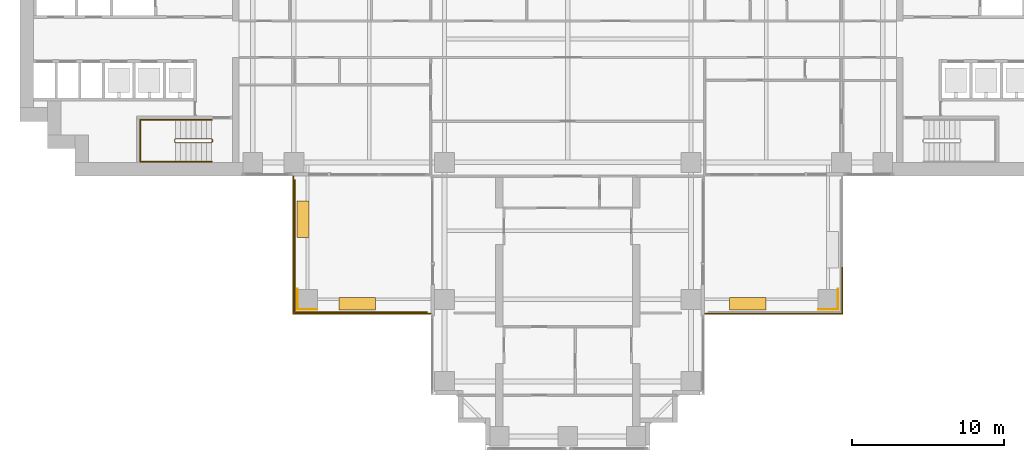
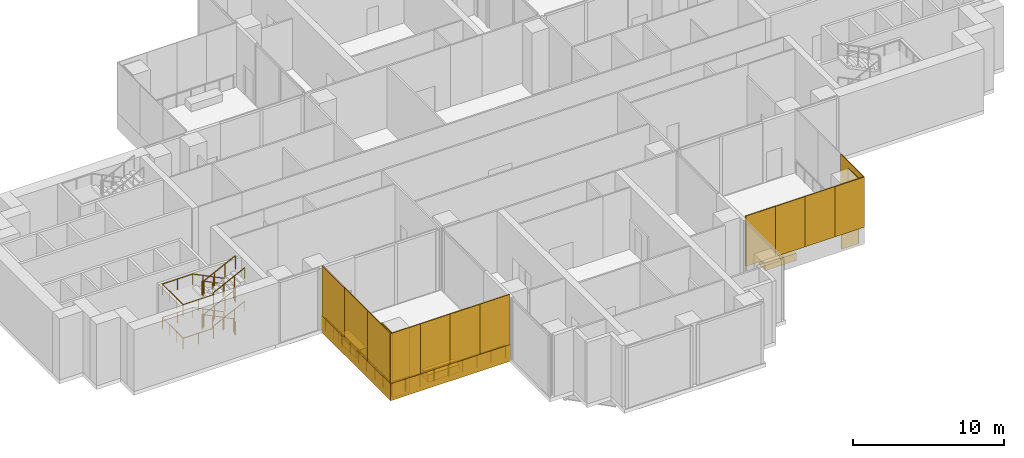
# One storey, part 13 of 17: 20 coverings, 4 railings.
"""IFC4 building model written with IfcOpenShell, lengths in metres."""

from ifc_helpers import new_model, si_unit, direction, frame, origin, origin_2d, place, context, subcontext, project, spatial, polyline, rectangle, outline, extrude, material, layer, layer_set, type_object, element, save


model = new_model("IFC4")

# Units and contexts
model_context = context("Model", 3, precision=1e-05, world=origin(), true_north=direction((0.0, 1.0)))
body_context = subcontext(model_context, "Body", "Model", "MODEL_VIEW")
ifc_project = project(units=[si_unit("LENGTHUNIT", "METRE"), si_unit("AREAUNIT", "SQUARE_METRE"), si_unit("VOLUMEUNIT", "CUBIC_METRE"), si_unit("PLANEANGLEUNIT", "RADIAN"), si_unit("MASSUNIT", "GRAM", prefix="KILO")], contexts=[model_context])

# Site, building, storey
site_placement = place(None, origin())
site = spatial("IfcSite", under=ifc_project, at=site_placement, CompositionType="ELEMENT")
building_placement = place(site_placement, origin())
building = spatial("IfcBuilding", under=site, at=building_placement, Name="Perihelion Cross Residences", CompositionType="ELEMENT")
storey_placement = place(building_placement, frame((0.0, 0.0, 92.5)))
storey = spatial("IfcBuildingStorey", under=building, at=storey_placement, Name="L21", CompositionType="ELEMENT", Elevation=92.5)

# Railing
ifc_material_1 = material(Name="Bronze anodised aluminium", Category="aluminium")
railing_type_1 = type_object("IfcRailingType", Name="Balcony guard 1100", PredefinedType="GUARDRAIL", material=ifc_material_1)
railing_1_placement = place(storey_placement, frame((-9.25, -17.93994140625, 0.0)))
element("IfcRailing", 1, at=railing_1_placement, inside=storey, type_object=railing_type_1, Name="Guard GU1 L21 pocket south-west 1", PredefinedType="GUARDRAIL", context=body_context, shape_type="SweptSolid", body=[
    extrude(rectangle(XDim=0.048095703125, YDim=0.048095703125, at=origin_2d()), frame((0.0, 0.0, 1.076171875), z_axis=(-1.0, 0.0, 0.0), x_axis=(0.0, -1.0, 0.0)), (0.0, 0.0, 1.0), 8.68994140625),
    extrude(rectangle(XDim=0.048095703125, YDim=0.048095703125, at=origin_2d()), frame((-8.68994140625, 0.0, 1.076171875), z_axis=(0.0, 1.0, 0.0), x_axis=(-1.0, 0.0, 0.0)), (0.0, 0.0, 1.0), 8.68994140625),
    extrude(rectangle(XDim=0.0419921875, YDim=0.0419921875, at=origin_2d()), origin(), (0.0, 0.0, 1.0), 1.052001953125),
    extrude(rectangle(XDim=0.0419921875, YDim=0.0419921875, at=origin_2d()), frame((-1.086181640625, 0.0, 0.0)), (0.0, 0.0, 1.0), 1.052001953125),
    extrude(rectangle(XDim=0.0419921875, YDim=0.0419921875, at=origin_2d()), frame((-2.17236328125, 0.0, 0.0)), (0.0, 0.0, 1.0), 1.052001953125),
    extrude(rectangle(XDim=0.0419921875, YDim=0.0419921875, at=origin_2d()), frame((-3.2587890625, 0.0, 0.0)), (0.0, 0.0, 1.0), 1.052001953125),
    extrude(rectangle(XDim=0.0419921875, YDim=0.0419921875, at=origin_2d()), frame((-4.344970703125, 0.0, 0.0)), (0.0, 0.0, 1.0), 1.052001953125),
    extrude(rectangle(XDim=0.0419921875, YDim=0.0419921875, at=origin_2d()), frame((-5.43115234375, 0.0, 0.0)), (0.0, 0.0, 1.0), 1.052001953125),
    extrude(rectangle(XDim=0.0419921875, YDim=0.0419921875, at=origin_2d()), frame((-6.517578125, 0.0, 0.0)), (0.0, 0.0, 1.0), 1.052001953125),
    extrude(rectangle(XDim=0.0419921875, YDim=0.0419921875, at=origin_2d()), frame((-7.603759765625, 0.0, 0.0)), (0.0, 0.0, 1.0), 1.052001953125),
    extrude(rectangle(XDim=0.0419921875, YDim=0.0419921875, at=origin_2d()), frame((-8.68994140625, 0.0, 0.0)), (0.0, 0.0, 1.0), 1.052001953125),
    extrude(rectangle(XDim=0.0419921875, YDim=0.0419921875, at=origin_2d()), frame((-8.68994140625, 1.086181640625, 0.0)), (0.0, 0.0, 1.0), 1.052001953125),
    extrude(rectangle(XDim=0.0419921875, YDim=0.0419921875, at=origin_2d()), frame((-8.68994140625, 2.17236328125, 0.0)), (0.0, 0.0, 1.0), 1.052001953125),
    extrude(rectangle(XDim=0.0419921875, YDim=0.0419921875, at=origin_2d()), frame((-8.68994140625, 3.2587890625, 0.0)), (0.0, 0.0, 1.0), 1.052001953125),
    extrude(rectangle(XDim=0.0419921875, YDim=0.0419921875, at=origin_2d()), frame((-8.68994140625, 4.344970703125, 0.0)), (0.0, 0.0, 1.0), 1.052001953125),
    extrude(rectangle(XDim=0.0419921875, YDim=0.0419921875, at=origin_2d()), frame((-8.68994140625, 5.43115234375, 0.0)), (0.0, 0.0, 1.0), 1.052001953125),
    extrude(rectangle(XDim=0.0419921875, YDim=0.0419921875, at=origin_2d()), frame((-8.68994140625, 6.517578125, 0.0)), (0.0, 0.0, 1.0), 1.052001953125),
    extrude(rectangle(XDim=0.0419921875, YDim=0.0419921875, at=origin_2d()), frame((-8.68994140625, 7.603759765625, 0.0)), (0.0, 0.0, 1.0), 1.052001953125),
    extrude(rectangle(XDim=0.0419921875, YDim=0.0419921875, at=origin_2d()), frame((-8.68994140625, 8.68994140625, 0.0)), (0.0, 0.0, 1.0), 1.052001953125),
])

# Coverings
ifc_material_2 = material(Name="Bronze anodised aluminium", Category="aluminium")
ifc_layer_1 = layer(ifc_material_2, 0.0400390625)
ifc_layer_set_1 = layer_set([ifc_layer_1], Name="Bronze column casing 40")
covering_type_1 = type_object("IfcCoveringType", Name="Bronze column casing 40", PredefinedType="CLADDING", material=ifc_layer_set_1)
covering_1_placement = place(storey_placement, frame((-17.77001953125, -17.10009765625, -0.300048828125), z_axis=(0.0, 0.0, 1.0), x_axis=(1.0, 0.0, 0.0)))
element("IfcCovering", 2, at=covering_1_placement, inside=storey, type_object=covering_type_1, Name="Cladding CC1 L21 casing east-west no. 1", PredefinedType="CLADDING", context=body_context, shape_type="SweptSolid", body=[
    extrude(rectangle(XDim=0.0400390625, YDim=1.3798828125, at=origin_2d()), origin(), (0.0, 0.0, 1.0), 5.25),
])
covering_2_placement = place(storey_placement, frame((-17.10009765625, -17.77001953125, -0.300048828125), z_axis=(0.0, 0.0, 1.0), x_axis=(1.0, 0.0, 0.0)))
element("IfcCovering", 3, at=covering_2_placement, inside=storey, type_object=covering_type_1, Name="Cladding CC1 L21 casing north-south no. 1", PredefinedType="CLADDING", context=body_context, shape_type="SweptSolid", body=[
    extrude(rectangle(XDim=1.300048828125, YDim=0.0400390625, at=origin_2d()), origin(), (0.0, 0.0, 1.0), 5.25),
])
covering_3_placement = place(storey_placement, frame((17.77001953125, -17.10009765625, -0.300048828125), z_axis=(0.0, 0.0, 1.0), x_axis=(1.0, 0.0, 0.0)))
element("IfcCovering", 4, at=covering_3_placement, inside=storey, type_object=covering_type_1, Name="Cladding CC1 L21 casing east-west no. 3", PredefinedType="CLADDING", context=body_context, shape_type="SweptSolid", body=[
    extrude(rectangle(XDim=0.0400390625, YDim=1.3798828125, at=origin_2d()), origin(), (0.0, 0.0, 1.0), 5.25),
])
covering_4_placement = place(storey_placement, frame((17.10009765625, -17.77001953125, -0.300048828125), z_axis=(0.0, 0.0, 1.0), x_axis=(1.0, 0.0, 0.0)))
element("IfcCovering", 5, at=covering_4_placement, inside=storey, type_object=covering_type_1, Name="Cladding CC1 L21 casing north-south no. 3", PredefinedType="CLADDING", context=body_context, shape_type="SweptSolid", body=[
    extrude(rectangle(XDim=1.300048828125, YDim=0.0400390625, at=origin_2d()), origin(), (0.0, 0.0, 1.0), 5.25),
])
ifc_material_3 = material(Name="Precast concrete C40/50", Category="concrete")
covering_type_2 = type_object("IfcCoveringType", Name="Planter box 2400", PredefinedType="USERDEFINED", material=ifc_material_3)
for number, where, z_axis, x_axis, name in (
    (6, (11.830078125, -17.389892578125, 0.0), (0.0, 0.0, 1.0), (-1.0, 0.0, 0.0), "Planter PT1 L21 pocket south-east 2"),
    (7, (-13.85009765625, -17.389892578125, 0.0), (0.0, 0.0, 1.0), (-1.0, 0.0, 0.0), "Planter PT1 L21 pocket south-west 1"),
    (8, (-17.389892578125, -11.830078125, 0.0), (0.0, 0.0, 1.0), (0.0, 1.0, 0.0), "Planter PT1 L21 pocket south-west 2"),
):
    element("IfcCovering", number, at=place(storey_placement, frame(where, z_axis=z_axis, x_axis=x_axis)), inside=storey, type_object=covering_type_2, Name=name, ObjectType="PLANTER", PredefinedType="USERDEFINED", context=body_context, shape_type="SweptSolid", body=[
        extrude(rectangle(XDim=2.39990234375, YDim=0.800048828125, at=origin_2d()), origin(), (0.0, 0.0, 1.0), 0.60009765625),
    ])
ifc_material_4 = material(Name="Bronze anodised aluminium", Category="aluminium")
ifc_layer_2 = layer(ifc_material_4, 0.070068359375)
ifc_layer_set_2 = layer_set([ifc_layer_2], Name="Pocket fascia 1350")
covering_type_3 = type_object("IfcCoveringType", Name="Pocket fascia 1350", PredefinedType="CLADDING", material=ifc_layer_set_2)
covering_5_placement = place(storey_placement, frame((0.0, 0.0, -0.25)))
element("IfcCovering", 9, at=covering_5_placement, inside=storey, type_object=covering_type_3, Name="Fascia BF2 L21 pocket south-west 1", PredefinedType="CLADDING", context=body_context, shape_type="SweptSolid", body=[
    extrude(outline(polyline([(-18.070068359375, -18.070068359375), (-8.929931640625, -18.070068359375), (-8.929931640625, -18.0), (-9.0, -18.0), (-9.0, -18.0), (-18.0, -18.0), (-18.0, -9.0), (-18.0, -9.0), (-18.0, -8.929931640625), (-18.070068359375, -8.929931640625), (-18.070068359375, -18.070068359375)])), origin(), (0.0, 0.0, 1.0), 1.35009765625),
])
ifc_material_5 = material(Name="Bronze perforated aluminium", Category="aluminium")
ifc_layer_3 = layer(ifc_material_5, 0.070068359375)
ifc_layer_set_3 = layer_set([ifc_layer_3], Name="Pocket solar screen, bronze perforated")
covering_type_4 = type_object("IfcCoveringType", Name="Pocket solar screen, bronze perforated", PredefinedType="CLADDING", material=ifc_layer_set_3)
covering_6_placement = place(storey_placement, frame((0.0, 0.0, 1.10009765625)))
element("IfcCovering", 10, at=covering_6_placement, inside=storey, type_object=covering_type_4, Name="Solar screen PS1 L21 pocket south-east no. 1", PredefinedType="CLADDING", context=body_context, shape_type="SweptSolid", body=[
    extrude(outline(polyline([(18.070068359375, -18.0), (18.070068359375, -15.0), (18.0, -15.0), (18.0, -18.0), (18.070068359375, -18.0)])), origin(), (0.0, 0.0, 1.0), 4.0498046875),
])
covering_7_placement = place(storey_placement, frame((0.0, 0.0, 1.10009765625)))
element("IfcCovering", 11, at=covering_7_placement, inside=storey, type_object=covering_type_4, Name="Solar screen PS1 L21 pocket south-east no. 4", PredefinedType="CLADDING", context=body_context, shape_type="SweptSolid", body=[
    extrude(outline(polyline([(11.267578125, -18.070068359375), (11.267578125, -18.0), (9.0, -18.0), (9.0, -18.070068359375), (11.267578125, -18.070068359375)])), origin(), (0.0, 0.0, 1.0), 4.0498046875),
])
covering_8_placement = place(storey_placement, frame((0.0, 0.0, 1.10009765625)))
element("IfcCovering", 12, at=covering_8_placement, inside=storey, type_object=covering_type_4, Name="Solar screen PS1 L21 pocket south-east no. 5", PredefinedType="CLADDING", context=body_context, shape_type="SweptSolid", body=[
    extrude(outline(polyline([(13.534912109375, -18.070068359375), (13.534912109375, -18.0), (11.267578125, -18.0), (11.267578125, -18.070068359375), (13.534912109375, -18.070068359375)])), origin(), (0.0, 0.0, 1.0), 4.0498046875),
])
covering_9_placement = place(storey_placement, frame((0.0, 0.0, 1.10009765625)))
element("IfcCovering", 13, at=covering_9_placement, inside=storey, type_object=covering_type_4, Name="Solar screen PS1 L21 pocket south-east no. 6", PredefinedType="CLADDING", context=body_context, shape_type="SweptSolid", body=[
    extrude(outline(polyline([(15.802490234375, -18.070068359375), (15.802490234375, -18.0), (13.534912109375, -18.0), (13.534912109375, -18.070068359375), (15.802490234375, -18.070068359375)])), origin(), (0.0, 0.0, 1.0), 4.0498046875),
])
covering_10_placement = place(storey_placement, frame((0.0, 0.0, 1.10009765625)))
element("IfcCovering", 14, at=covering_10_placement, inside=storey, type_object=covering_type_4, Name="Solar screen PS1 L21 pocket south-east no. 7", PredefinedType="CLADDING", context=body_context, shape_type="SweptSolid", body=[
    extrude(outline(polyline([(18.070068359375, -18.070068359375), (18.070068359375, -18.0), (15.802490234375, -18.0), (15.802490234375, -18.070068359375), (18.070068359375, -18.070068359375)])), origin(), (0.0, 0.0, 1.0), 4.0498046875),
])
covering_11_placement = place(storey_placement, frame((0.0, 0.0, 1.10009765625)))
element("IfcCovering", 15, at=covering_11_placement, inside=storey, type_object=covering_type_4, Name="Solar screen PS1 L21 pocket south-west no. 1", PredefinedType="CLADDING", context=body_context, shape_type="SweptSolid", body=[
    extrude(outline(polyline([(-18.0, -18.0), (-18.0, -15.0), (-18.070068359375, -15.0), (-18.070068359375, -18.0), (-18.0, -18.0)])), origin(), (0.0, 0.0, 1.0), 4.0498046875),
])
covering_12_placement = place(storey_placement, frame((0.0, 0.0, 1.10009765625)))
element("IfcCovering", 16, at=covering_12_placement, inside=storey, type_object=covering_type_4, Name="Solar screen PS1 L21 pocket south-west no. 2", PredefinedType="CLADDING", context=body_context, shape_type="SweptSolid", body=[
    extrude(outline(polyline([(-18.0, -15.0), (-18.0, -12.0), (-18.070068359375, -12.0), (-18.070068359375, -15.0), (-18.0, -15.0)])), origin(), (0.0, 0.0, 1.0), 4.0498046875),
])
covering_13_placement = place(storey_placement, frame((0.0, 0.0, 1.10009765625)))
element("IfcCovering", 17, at=covering_13_placement, inside=storey, type_object=covering_type_4, Name="Solar screen PS1 L21 pocket south-west no. 3", PredefinedType="CLADDING", context=body_context, shape_type="SweptSolid", body=[
    extrude(outline(polyline([(-18.0, -12.0), (-18.0, -9.0), (-18.070068359375, -9.0), (-18.070068359375, -12.0), (-18.0, -12.0)])), origin(), (0.0, 0.0, 1.0), 4.0498046875),
])
covering_14_placement = place(storey_placement, frame((0.0, 0.0, 1.10009765625)))
element("IfcCovering", 18, at=covering_14_placement, inside=storey, type_object=covering_type_4, Name="Solar screen PS1 L21 pocket south-west no. 4", PredefinedType="CLADDING", context=body_context, shape_type="SweptSolid", body=[
    extrude(outline(polyline([(-15.802490234375, -18.070068359375), (-15.802490234375, -18.0), (-18.070068359375, -18.0), (-18.070068359375, -18.070068359375), (-15.802490234375, -18.070068359375)])), origin(), (0.0, 0.0, 1.0), 4.0498046875),
])
covering_15_placement = place(storey_placement, frame((0.0, 0.0, 1.10009765625)))
element("IfcCovering", 19, at=covering_15_placement, inside=storey, type_object=covering_type_4, Name="Solar screen PS1 L21 pocket south-west no. 5", PredefinedType="CLADDING", context=body_context, shape_type="SweptSolid", body=[
    extrude(outline(polyline([(-13.534912109375, -18.070068359375), (-13.534912109375, -18.0), (-15.802490234375, -18.0), (-15.802490234375, -18.070068359375), (-13.534912109375, -18.070068359375)])), origin(), (0.0, 0.0, 1.0), 4.0498046875),
])
covering_16_placement = place(storey_placement, frame((0.0, 0.0, 1.10009765625)))
element("IfcCovering", 20, at=covering_16_placement, inside=storey, type_object=covering_type_4, Name="Solar screen PS1 L21 pocket south-west no. 6", PredefinedType="CLADDING", context=body_context, shape_type="SweptSolid", body=[
    extrude(outline(polyline([(-11.267578125, -18.070068359375), (-11.267578125, -18.0), (-13.534912109375, -18.0), (-13.534912109375, -18.070068359375), (-11.267578125, -18.070068359375)])), origin(), (0.0, 0.0, 1.0), 4.0498046875),
])
covering_17_placement = place(storey_placement, frame((0.0, 0.0, 1.10009765625)))
element("IfcCovering", 21, at=covering_17_placement, inside=storey, type_object=covering_type_4, Name="Solar screen PS1 L21 pocket south-west no. 7", PredefinedType="CLADDING", context=body_context, shape_type="SweptSolid", body=[
    extrude(outline(polyline([(-9.0, -18.070068359375), (-9.0, -18.0), (-11.267578125, -18.0), (-11.267578125, -18.070068359375), (-9.0, -18.070068359375)])), origin(), (0.0, 0.0, 1.0), 4.0498046875),
])

# Railings
ifc_material_6 = material(Name="Stainless steel", Category="steel")
railing_type_2 = type_object("IfcRailingType", Name="Stair guard 1100", PredefinedType="GUARDRAIL", material=ifc_material_6)
railing_2_placement = place(storey_placement, frame((-23.35009765625, -6.75, 0.0)))
element("IfcRailing", 22, at=railing_2_placement, inside=storey, type_object=railing_type_2, Name="L21 ST-W2 stair guard 1", PredefinedType="GUARDRAIL", context=body_context, shape_type="SweptSolid", body=[
    extrude(rectangle(XDim=0.048095703125, YDim=0.048095703125, at=origin_2d()), frame((0.0, 0.0, 1.076171875), z_axis=(0.0, 1.0, 0.0), x_axis=(-1.0, 0.0, 0.0)), (0.0, 0.0, 1.0), 0.14990234375),
    extrude(rectangle(XDim=0.048095703125, YDim=0.048095703125, at=origin_2d()), frame((0.0, 0.14990234375, 1.076171875), z_axis=(-0.272333783174, 0.273668752699, 0.922463942026), x_axis=(-0.708833529934, -0.705375805398, 0.0)), (0.0, 0.0, 1.0), 0.182861328125),
    extrude(rectangle(XDim=0.048095703125, YDim=0.048095703125, at=origin_2d()), frame((-0.0498046875, 0.199951171875, 1.24462890625), z_axis=(-0.895728066128, 0.0, 0.444602329674), x_axis=(0.0, -1.0, 0.0)), (0.0, 0.0, 1.0), 2.6572265625),
    extrude(rectangle(XDim=0.048095703125, YDim=0.048095703125, at=origin_2d()), frame((-2.429931640625, 0.199951171875, 2.42626953125), z_axis=(-0.707106781187, -0.707106781187, 0.0), x_axis=(0.707106781187, -0.707106781187, 0.0)), (0.0, 0.0, 1.0), 0.07080078125),
    extrude(rectangle(XDim=0.048095703125, YDim=0.048095703125, at=origin_2d()), frame((-2.47998046875, 0.14990234375, 2.42626953125), z_axis=(0.0, -1.0, 0.0), x_axis=(1.0, 0.0, 0.0)), (0.0, 0.0, 1.0), 0.14990234375),
    extrude(rectangle(XDim=0.048095703125, YDim=0.048095703125, at=origin_2d()), frame((-2.47998046875, 0.0, 2.42626953125), z_axis=(0.273569069059, -0.273569069059, 0.922127935218), x_axis=(0.707106781187, 0.707106781187, 0.0)), (0.0, 0.0, 1.0), 0.182861328125),
    extrude(rectangle(XDim=0.048095703125, YDim=0.048095703125, at=origin_2d()), frame((-2.429931640625, -0.050048828125, 2.5947265625), z_axis=(0.895764654725, 0.0, 0.444528608017), x_axis=(0.0, 1.0, 0.0)), (0.0, 0.0, 1.0), 2.656982421875),
    extrude(rectangle(XDim=0.048095703125, YDim=0.048095703125, at=origin_2d()), frame((-0.0498046875, -0.050048828125, 3.77587890625), z_axis=(0.241699205484, 0.970351222016, 0.0), x_axis=(-0.970351222016, 0.241699205484, 0.0)), (0.0, 0.0, 1.0), 0.2060546875),
    extrude(rectangle(XDim=0.048095703125, YDim=0.048095703125, at=origin_2d()), frame((0.0, 0.14990234375, 3.77587890625), z_axis=(0.0, -1.0, 0.0), x_axis=(1.0, 0.0, 0.0)), (0.0, 0.0, 1.0), 0.14990234375),
    extrude(rectangle(XDim=0.048095703125, YDim=0.048095703125, at=origin_2d()), frame((0.0, 0.0, 3.77587890625), z_axis=(-0.187017651923, 0.750820867278, 0.633476458228), x_axis=(-0.970351222016, -0.241699205484, 0.0)), (0.0, 0.0, 1.0), 0.266357421875),
    extrude(rectangle(XDim=0.048095703125, YDim=0.048095703125, at=origin_2d()), frame((-0.0498046875, 0.199951171875, 3.94482421875), z_axis=(-0.895728066128, 0.0, 0.444602329674), x_axis=(0.0, -1.0, 0.0)), (0.0, 0.0, 1.0), 2.6572265625),
    extrude(rectangle(XDim=0.048095703125, YDim=0.048095703125, at=origin_2d()), frame((-2.429931640625, 0.199951171875, 5.1259765625), z_axis=(-0.707106781187, -0.707106781187, 0.0), x_axis=(0.707106781187, -0.707106781187, 0.0)), (0.0, 0.0, 1.0), 0.07080078125),
    extrude(rectangle(XDim=0.048095703125, YDim=0.048095703125, at=origin_2d()), frame((-2.47998046875, 0.14990234375, 5.1259765625), z_axis=(0.0, -1.0, 0.0), x_axis=(1.0, 0.0, 0.0)), (0.0, 0.0, 1.0), 0.14990234375),
    extrude(rectangle(XDim=0.048095703125, YDim=0.048095703125, at=origin_2d()), frame((-2.47998046875, 0.0, 5.1259765625), z_axis=(0.273569069059, -0.273569069059, 0.922127935218), x_axis=(0.707106781187, 0.707106781187, 0.0)), (0.0, 0.0, 1.0), 0.182861328125),
    extrude(rectangle(XDim=0.048095703125, YDim=0.048095703125, at=origin_2d()), frame((-2.429931640625, -0.050048828125, 5.294921875), z_axis=(0.895764654725, 0.0, 0.444528608017), x_axis=(0.0, 1.0, 0.0)), (0.0, 0.0, 1.0), 2.656982421875),
    extrude(rectangle(XDim=0.0419921875, YDim=0.0419921875, at=origin_2d()), origin(), (0.0, 0.0, 1.0), 1.052001953125),
    extrude(rectangle(XDim=0.0419921875, YDim=0.0419921875, at=origin_2d()), frame((0.0, 0.14990234375, 0.0)), (0.0, 0.0, 1.0), 1.052001953125),
    extrude(rectangle(XDim=0.0419921875, YDim=0.0419921875, at=origin_2d()), frame((-0.0498046875, 0.199951171875, 0.168701171875)), (0.0, 0.0, 1.0), 1.052001953125),
    extrude(rectangle(XDim=0.0419921875, YDim=0.0419921875, at=origin_2d()), frame((-0.84326171875, 0.199951171875, 0.5625)), (0.0, 0.0, 1.0), 1.052001953125),
    extrude(rectangle(XDim=0.0419921875, YDim=0.0419921875, at=origin_2d()), frame((-1.636474609375, 0.199951171875, 0.956298828125)), (0.0, 0.0, 1.0), 1.052001953125),
    extrude(rectangle(XDim=0.0419921875, YDim=0.0419921875, at=origin_2d()), frame((-2.429931640625, 0.199951171875, 1.35009765625)), (0.0, 0.0, 1.0), 1.052001953125),
    extrude(rectangle(XDim=0.0419921875, YDim=0.0419921875, at=origin_2d()), frame((-2.47998046875, 0.14990234375, 1.35009765625)), (0.0, 0.0, 1.0), 1.052001953125),
    extrude(rectangle(XDim=0.0419921875, YDim=0.0419921875, at=origin_2d()), frame((-2.47998046875, 0.0, 1.35009765625)), (0.0, 0.0, 1.0), 1.052001953125),
    extrude(rectangle(XDim=0.0419921875, YDim=0.0419921875, at=origin_2d()), frame((-2.429931640625, -0.050048828125, 1.518798828125)), (0.0, 0.0, 1.0), 1.052001953125),
    extrude(rectangle(XDim=0.0419921875, YDim=0.0419921875, at=origin_2d()), frame((-1.636474609375, -0.050048828125, 1.91259765625)), (0.0, 0.0, 1.0), 1.052001953125),
    extrude(rectangle(XDim=0.0419921875, YDim=0.0419921875, at=origin_2d()), frame((-0.84326171875, -0.050048828125, 2.30615234375)), (0.0, 0.0, 1.0), 1.052001953125),
    extrude(rectangle(XDim=0.0419921875, YDim=0.0419921875, at=origin_2d()), frame((-0.0498046875, -0.050048828125, 2.699951171875)), (0.0, 0.0, 1.0), 1.052001953125),
    extrude(rectangle(XDim=0.0419921875, YDim=0.0419921875, at=origin_2d()), frame((0.0, 0.14990234375, 2.699951171875)), (0.0, 0.0, 1.0), 1.052001953125),
    extrude(rectangle(XDim=0.0419921875, YDim=0.0419921875, at=origin_2d()), frame((0.0, 0.0, 2.699951171875)), (0.0, 0.0, 1.0), 1.052001953125),
    extrude(rectangle(XDim=0.0419921875, YDim=0.0419921875, at=origin_2d()), frame((-0.0498046875, 0.199951171875, 2.86865234375)), (0.0, 0.0, 1.0), 1.052001953125),
    extrude(rectangle(XDim=0.0419921875, YDim=0.0419921875, at=origin_2d()), frame((-0.84326171875, 0.199951171875, 3.262451171875)), (0.0, 0.0, 1.0), 1.052001953125),
    extrude(rectangle(XDim=0.0419921875, YDim=0.0419921875, at=origin_2d()), frame((-1.636474609375, 0.199951171875, 3.65625)), (0.0, 0.0, 1.0), 1.052001953125),
    extrude(rectangle(XDim=0.0419921875, YDim=0.0419921875, at=origin_2d()), frame((-2.429931640625, 0.199951171875, 4.050048828125)), (0.0, 0.0, 1.0), 1.052001953125),
    extrude(rectangle(XDim=0.0419921875, YDim=0.0419921875, at=origin_2d()), frame((-2.47998046875, 0.14990234375, 4.050048828125)), (0.0, 0.0, 1.0), 1.052001953125),
    extrude(rectangle(XDim=0.0419921875, YDim=0.0419921875, at=origin_2d()), frame((-2.47998046875, 0.0, 4.050048828125)), (0.0, 0.0, 1.0), 1.052001953125),
    extrude(rectangle(XDim=0.0419921875, YDim=0.0419921875, at=origin_2d()), frame((-2.429931640625, -0.050048828125, 4.21875)), (0.0, 0.0, 1.0), 1.052001953125),
    extrude(rectangle(XDim=0.0419921875, YDim=0.0419921875, at=origin_2d()), frame((-1.636474609375, -0.050048828125, 4.612548828125)), (0.0, 0.0, 1.0), 1.052001953125),
    extrude(rectangle(XDim=0.0419921875, YDim=0.0419921875, at=origin_2d()), frame((-0.84326171875, -0.050048828125, 5.006103515625)), (0.0, 0.0, 1.0), 1.052001953125),
    extrude(rectangle(XDim=0.0419921875, YDim=0.0419921875, at=origin_2d()), frame((-0.0498046875, -0.050048828125, 5.39990234375)), (0.0, 0.0, 1.0), 1.052001953125),
])
ifc_material_7 = material(Name="Stainless steel", Category="steel")
railing_type_3 = type_object("IfcRailingType", Name="Stair handrail 900", PredefinedType="HANDRAIL", material=ifc_material_7)
railing_3_placement = place(storey_placement, frame((-23.39990234375, -5.300048828125, 0.168701171875)))
element("IfcRailing", 23, at=railing_3_placement, inside=storey, type_object=railing_type_3, Name="L21 ST-W2 stair handrail 1", PredefinedType="HANDRAIL", context=body_context, shape_type="SweptSolid", body=[
    extrude(rectangle(XDim=0.048095703125, YDim=0.048095703125, at=origin_2d()), frame((0.0, 0.0, 0.8759765625), z_axis=(-0.895728066128, 0.0, 0.444602329674), x_axis=(0.0, -1.0, 0.0)), (0.0, 0.0, 1.0), 2.6572265625),
    extrude(rectangle(XDim=0.048095703125, YDim=0.048095703125, at=origin_2d()), frame((-2.380126953125, 0.0, 2.05712890625), z_axis=(-1.0, 0.0, 0.0), x_axis=(0.0, -1.0, 0.0)), (0.0, 0.0, 1.0), 2.320068359375),
    extrude(rectangle(XDim=0.048095703125, YDim=0.048095703125, at=origin_2d()), frame((-4.7001953125, 0.0, 2.05712890625), z_axis=(0.0, -1.0, 0.0), x_axis=(1.0, 0.0, 0.0)), (0.0, 0.0, 1.0), 2.75),
    extrude(rectangle(XDim=0.048095703125, YDim=0.048095703125, at=origin_2d()), frame((-4.7001953125, -2.75, 2.05712890625), z_axis=(1.0, 0.0, 0.0), x_axis=(0.0, 1.0, 0.0)), (0.0, 0.0, 1.0), 2.320068359375),
    extrude(rectangle(XDim=0.048095703125, YDim=0.048095703125, at=origin_2d()), frame((-2.380126953125, -2.75, 2.05712890625), z_axis=(0.0, 0.0, 1.0), x_axis=(1.0, 0.0, 0.0)), (0.0, 0.0, 1.0), 0.168701171875),
    extrude(rectangle(XDim=0.048095703125, YDim=0.048095703125, at=origin_2d()), frame((-2.380126953125, -2.75, 2.22607421875), z_axis=(0.895764654725, 0.0, 0.444528608017), x_axis=(0.0, 1.0, 0.0)), (0.0, 0.0, 1.0), 2.656982421875),
    extrude(rectangle(XDim=0.0419921875, YDim=0.0419921875, at=origin_2d()), origin(), (0.0, 0.0, 1.0), 0.851806640625),
    extrude(rectangle(XDim=0.0419921875, YDim=0.0419921875, at=origin_2d()), frame((-0.79345703125, 0.0, 0.393798828125)), (0.0, 0.0, 1.0), 0.851806640625),
    extrude(rectangle(XDim=0.0419921875, YDim=0.0419921875, at=origin_2d()), frame((-1.586669921875, 0.0, 0.78759765625)), (0.0, 0.0, 1.0), 0.851806640625),
    extrude(rectangle(XDim=0.0419921875, YDim=0.0419921875, at=origin_2d()), frame((-2.380126953125, 0.0, 1.181396484375)), (0.0, 0.0, 1.0), 0.851806640625),
    extrude(rectangle(XDim=0.0419921875, YDim=0.0419921875, at=origin_2d()), frame((-3.5400390625, 0.0, 1.181396484375)), (0.0, 0.0, 1.0), 0.851806640625),
    extrude(rectangle(XDim=0.0419921875, YDim=0.0419921875, at=origin_2d()), frame((-4.7001953125, 0.0, 1.181396484375)), (0.0, 0.0, 1.0), 0.851806640625),
    extrude(rectangle(XDim=0.0419921875, YDim=0.0419921875, at=origin_2d()), frame((-4.7001953125, -0.916748046875, 1.181396484375)), (0.0, 0.0, 1.0), 0.851806640625),
    extrude(rectangle(XDim=0.0419921875, YDim=0.0419921875, at=origin_2d()), frame((-4.7001953125, -1.833251953125, 1.181396484375)), (0.0, 0.0, 1.0), 0.851806640625),
    extrude(rectangle(XDim=0.0419921875, YDim=0.0419921875, at=origin_2d()), frame((-4.7001953125, -2.75, 1.181396484375)), (0.0, 0.0, 1.0), 0.851806640625),
    extrude(rectangle(XDim=0.0419921875, YDim=0.0419921875, at=origin_2d()), frame((-3.5400390625, -2.75, 1.181396484375)), (0.0, 0.0, 1.0), 0.851806640625),
    extrude(rectangle(XDim=0.0419921875, YDim=0.0419921875, at=origin_2d()), frame((-2.380126953125, -2.75, 1.181396484375)), (0.0, 0.0, 1.0), 0.851806640625),
    extrude(rectangle(XDim=0.0419921875, YDim=0.0419921875, at=origin_2d()), frame((-2.380126953125, -2.75, 1.35009765625)), (0.0, 0.0, 1.0), 0.851806640625),
    extrude(rectangle(XDim=0.0419921875, YDim=0.0419921875, at=origin_2d()), frame((-1.586669921875, -2.75, 1.743896484375)), (0.0, 0.0, 1.0), 0.851806640625),
    extrude(rectangle(XDim=0.0419921875, YDim=0.0419921875, at=origin_2d()), frame((-0.79345703125, -2.75, 2.137451171875)), (0.0, 0.0, 1.0), 0.851806640625),
    extrude(rectangle(XDim=0.0419921875, YDim=0.0419921875, at=origin_2d()), frame((0.0, -2.75, 2.53125)), (0.0, 0.0, 1.0), 0.851806640625),
])
railing_4_placement = place(storey_placement, frame((-23.39990234375, -5.300048828125, 2.86865234375)))
element("IfcRailing", 24, at=railing_4_placement, inside=storey, type_object=railing_type_3, Name="L21 ST-W2 stair handrail 2", PredefinedType="HANDRAIL", context=body_context, shape_type="SweptSolid", body=[
    extrude(rectangle(XDim=0.048095703125, YDim=0.048095703125, at=origin_2d()), frame((0.0, 0.0, 0.8759765625), z_axis=(-0.895728066128, 0.0, 0.444602329674), x_axis=(0.0, -1.0, 0.0)), (0.0, 0.0, 1.0), 2.6572265625),
    extrude(rectangle(XDim=0.048095703125, YDim=0.048095703125, at=origin_2d()), frame((-2.380126953125, 0.0, 2.05712890625), z_axis=(-1.0, 0.0, 0.0), x_axis=(0.0, -1.0, 0.0)), (0.0, 0.0, 1.0), 2.320068359375),
    extrude(rectangle(XDim=0.048095703125, YDim=0.048095703125, at=origin_2d()), frame((-4.7001953125, 0.0, 2.05712890625), z_axis=(0.0, -1.0, 0.0), x_axis=(1.0, 0.0, 0.0)), (0.0, 0.0, 1.0), 2.75),
    extrude(rectangle(XDim=0.048095703125, YDim=0.048095703125, at=origin_2d()), frame((-4.7001953125, -2.75, 2.05712890625), z_axis=(1.0, 0.0, 0.0), x_axis=(0.0, 1.0, 0.0)), (0.0, 0.0, 1.0), 2.320068359375),
    extrude(rectangle(XDim=0.048095703125, YDim=0.048095703125, at=origin_2d()), frame((-2.380126953125, -2.75, 2.05712890625), z_axis=(0.0, 0.0, 1.0), x_axis=(1.0, 0.0, 0.0)), (0.0, 0.0, 1.0), 0.168701171875),
    extrude(rectangle(XDim=0.048095703125, YDim=0.048095703125, at=origin_2d()), frame((-2.380126953125, -2.75, 2.22607421875), z_axis=(0.895764654725, 0.0, 0.444528608017), x_axis=(0.0, 1.0, 0.0)), (0.0, 0.0, 1.0), 2.656982421875),
    extrude(rectangle(XDim=0.0419921875, YDim=0.0419921875, at=origin_2d()), origin(), (0.0, 0.0, 1.0), 0.851806640625),
    extrude(rectangle(XDim=0.0419921875, YDim=0.0419921875, at=origin_2d()), frame((-0.79345703125, 0.0, 0.393798828125)), (0.0, 0.0, 1.0), 0.851806640625),
    extrude(rectangle(XDim=0.0419921875, YDim=0.0419921875, at=origin_2d()), frame((-1.586669921875, 0.0, 0.78759765625)), (0.0, 0.0, 1.0), 0.851806640625),
    extrude(rectangle(XDim=0.0419921875, YDim=0.0419921875, at=origin_2d()), frame((-2.380126953125, 0.0, 1.181396484375)), (0.0, 0.0, 1.0), 0.851806640625),
    extrude(rectangle(XDim=0.0419921875, YDim=0.0419921875, at=origin_2d()), frame((-3.5400390625, 0.0, 1.181396484375)), (0.0, 0.0, 1.0), 0.851806640625),
    extrude(rectangle(XDim=0.0419921875, YDim=0.0419921875, at=origin_2d()), frame((-4.7001953125, 0.0, 1.181396484375)), (0.0, 0.0, 1.0), 0.851806640625),
    extrude(rectangle(XDim=0.0419921875, YDim=0.0419921875, at=origin_2d()), frame((-4.7001953125, -0.916748046875, 1.181396484375)), (0.0, 0.0, 1.0), 0.851806640625),
    extrude(rectangle(XDim=0.0419921875, YDim=0.0419921875, at=origin_2d()), frame((-4.7001953125, -1.833251953125, 1.181396484375)), (0.0, 0.0, 1.0), 0.851806640625),
    extrude(rectangle(XDim=0.0419921875, YDim=0.0419921875, at=origin_2d()), frame((-4.7001953125, -2.75, 1.181396484375)), (0.0, 0.0, 1.0), 0.851806640625),
    extrude(rectangle(XDim=0.0419921875, YDim=0.0419921875, at=origin_2d()), frame((-3.5400390625, -2.75, 1.181396484375)), (0.0, 0.0, 1.0), 0.851806640625),
    extrude(rectangle(XDim=0.0419921875, YDim=0.0419921875, at=origin_2d()), frame((-2.380126953125, -2.75, 1.181396484375)), (0.0, 0.0, 1.0), 0.851806640625),
    extrude(rectangle(XDim=0.0419921875, YDim=0.0419921875, at=origin_2d()), frame((-2.380126953125, -2.75, 1.35009765625)), (0.0, 0.0, 1.0), 0.851806640625),
    extrude(rectangle(XDim=0.0419921875, YDim=0.0419921875, at=origin_2d()), frame((-1.586669921875, -2.75, 1.743896484375)), (0.0, 0.0, 1.0), 0.851806640625),
    extrude(rectangle(XDim=0.0419921875, YDim=0.0419921875, at=origin_2d()), frame((-0.79345703125, -2.75, 2.137451171875)), (0.0, 0.0, 1.0), 0.851806640625),
    extrude(rectangle(XDim=0.0419921875, YDim=0.0419921875, at=origin_2d()), frame((0.0, -2.75, 2.53125)), (0.0, 0.0, 1.0), 0.851806640625),
])

save(model, "model.ifc")
